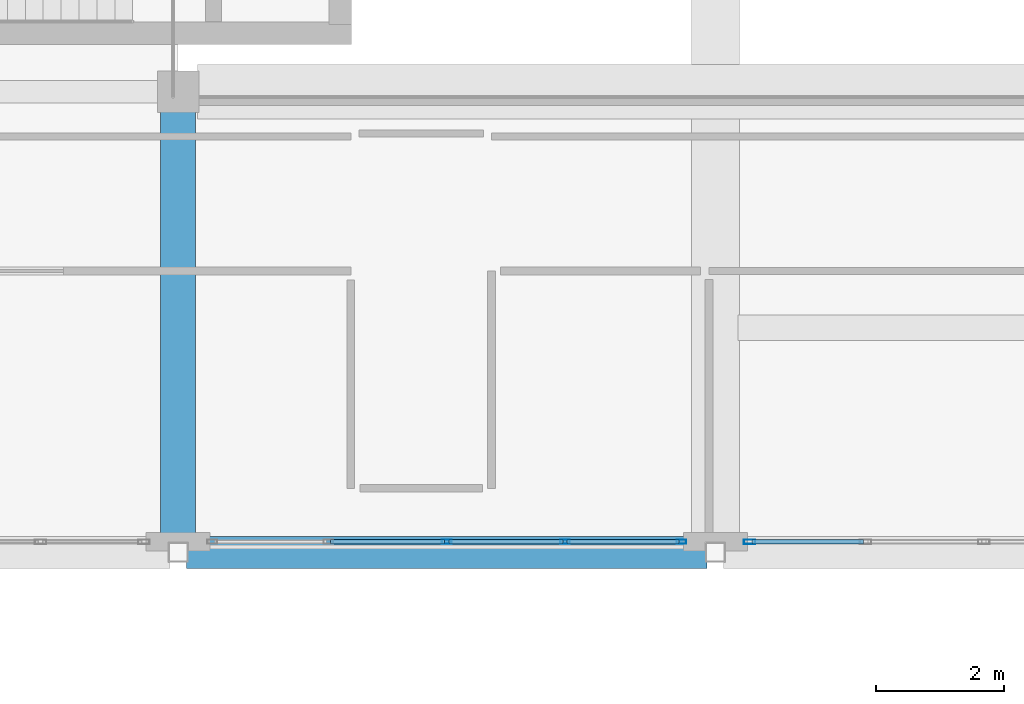
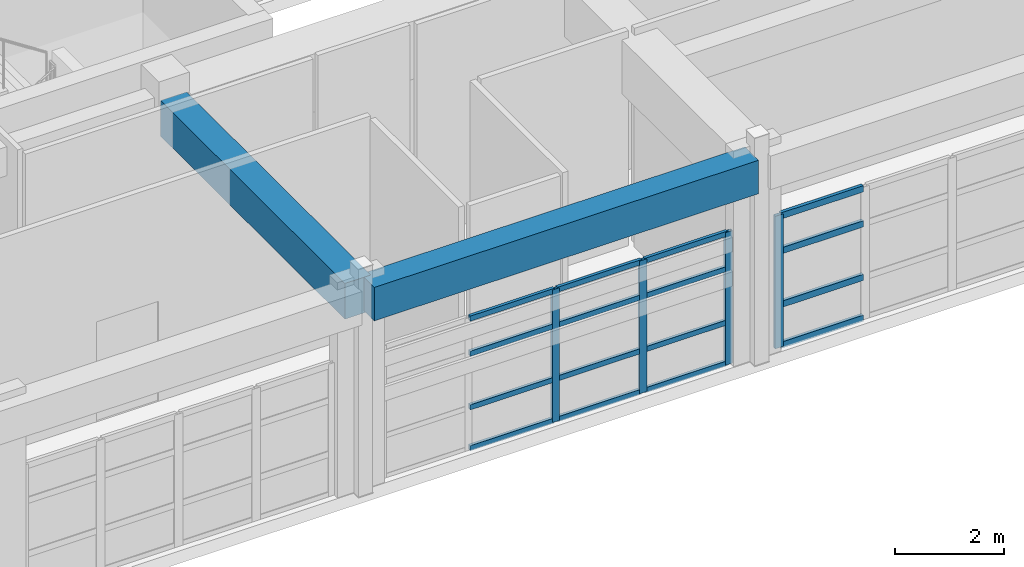
# One storey, part 58 of 103: 20 members, 2 beams, 2 elements without a shape of their own.
"""IFC4 building model written with IfcOpenShell, lengths in metres."""

from ifc_helpers import new_model, si_unit, direction, frame, origin, origin_2d, place, context, subcontext, project, spatial, rectangle, hollow_rectangle, extrude, material, layer, layer_set, material_profile, profile_set, type_object, element, aggregate, save


model = new_model("IFC4")

# Units and contexts
model_context = context("Model", 3, precision=1e-05, world=origin(), true_north=direction((0.0, 1.0)))
body_context = subcontext(model_context, "Body", "Model", "MODEL_VIEW")
ifc_project = project(units=[si_unit("LENGTHUNIT", "METRE"), si_unit("AREAUNIT", "SQUARE_METRE"), si_unit("VOLUMEUNIT", "CUBIC_METRE"), si_unit("PLANEANGLEUNIT", "RADIAN"), si_unit("MASSUNIT", "GRAM", prefix="KILO")], contexts=[model_context])

# Site, building, storey
site_placement = place(None, origin())
site = spatial("IfcSite", under=ifc_project, at=site_placement, CompositionType="ELEMENT")
building_placement = place(site_placement, origin())
building = spatial("IfcBuilding", under=site, at=building_placement, Name="Quendrovan Civic Courthouse", CompositionType="ELEMENT")
storey_placement = place(building_placement, frame((0.0, 0.0, 15.300048828125)))
storey = spatial("IfcBuildingStorey", under=building, at=storey_placement, Name="L04", CompositionType="ELEMENT", Elevation=15.300048828125)

# Beams
ifc_material_1 = material(Name="Concrete C40/50", Category="concrete")
ifc_material_profile_1 = material_profile(ifc_material_1, rectangle(XDim=0.5, YDim=0.75, at=origin_2d()), Name="RC-BM-500x750")
ifc_profile_set_1 = profile_set([ifc_material_profile_1], Name="Concrete C40/50")
beam_type_1 = type_object("IfcBeamType", Name="BM-RC750", PredefinedType="SPANDREL", material=ifc_profile_set_1)
beam_1_placement = place(storey_placement, frame((117.72998046875, 87.60009765625, 4.284912109375), z_axis=(1.0, 0.0, 0.0), x_axis=(0.0, 1.0, 0.0)))
element("IfcBeam", 1, at=beam_1_placement, inside=storey, type_object=beam_type_1, Name="L04 Girder X0911", PredefinedType="SPANDREL", context=body_context, shape_type="SweptSolid", body=[
    extrude(rectangle(XDim=0.5, YDim=0.75, at=origin_2d()), origin(), (0.0, 0.0, 1.0), 8.14013671875),
])
ifc_material_profile_2 = material_profile(ifc_material_1, rectangle(XDim=0.550048828125, YDim=0.800048828125, at=origin_2d()), Name="RC-BM-550x800")
ifc_profile_set_2 = profile_set([ifc_material_profile_2], Name="Concrete C40/50")
beam_type_2 = type_object("IfcBeamType", Name="BM-RC800", PredefinedType="BEAM", material=ifc_profile_set_2)
beam_2_placement = place(storey_placement, frame((117.60009765625, 87.72998046875, 4.260009765625), z_axis=(0.0, 1.0, 0.0), x_axis=(-1.0, 0.0, 0.0)))
element("IfcBeam", 2, at=beam_2_placement, inside=storey, type_object=beam_type_2, Name="L04 Girder Y0989", PredefinedType="BEAM", context=body_context, shape_type="SweptSolid", body=[
    extrude(rectangle(XDim=0.550048828125, YDim=0.800048828125, at=origin_2d()), origin(), (0.0, 0.0, 1.0), 6.76513671875),
])

# Curtain wall, member
ifc_material_2 = material(Name="Bronze anodised aluminium and low-E glass", Category="aluminium")
ifc_layer = layer(ifc_material_2, 0.179931640625, Name="Bronze anodised aluminium and low-E glass")
ifc_layer_set = layer_set([ifc_layer], Name="Bronze anodised aluminium and low-E glass")
curtain_wall_type = type_object("IfcCurtainWallType", Name="CW-U74x30", PredefinedType="USERDEFINED", material=ifc_layer_set)
curtain_wall_1_placement = place(storey_placement, origin())
curtain_wall_1 = element("IfcCurtainWall", 3, at=curtain_wall_1_placement, inside=storey, type_object=curtain_wall_type, Name="L04 Unitised Hurricane Curtain Wall CW-174", ObjectType="UNITISED CURTAIN WALL", PredefinedType="USERDEFINED")
ifc_material_3 = material(Name="Bronze anodised aluminium", Category="aluminium")
ifc_material_profile_3 = material_profile(ifc_material_3, hollow_rectangle(XDim=0.070068359375, YDim=0.179931640625, WallThickness=0.00390625, at=origin_2d()), Name="CW-MULL-70x180")
ifc_profile_set_3 = profile_set([ifc_material_profile_3], Name="Bronze anodised aluminium")
member_type_1 = type_object("IfcMemberType", Name="CW-MULL-A", PredefinedType="MULLION", material=ifc_profile_set_3)
member_1_placement = place(storey_placement, frame((126.534912109375, 87.764892578125, 0.0), z_axis=(0.0, 0.0, 1.0), x_axis=(0.0, -1.0, 0.0)))
member_1 = element("IfcMember", 4, at=member_1_placement, type_object=member_type_1, Name="CW-174 mullion 5", PredefinedType="MULLION", context=body_context, shape_type="SweptSolid", body=[
    extrude(hollow_rectangle(XDim=0.070068359375, YDim=0.179931640625, WallThickness=0.00390625, at=origin_2d()), origin(), (0.0, 0.0, 1.0), 2.969970703125),
])

# Curtain wall, members
curtain_wall_2_placement = place(storey_placement, origin())
curtain_wall_2 = element("IfcCurtainWall", 5, at=curtain_wall_2_placement, inside=storey, type_object=curtain_wall_type, Name="L04 Unitised Hurricane Curtain Wall CW-175", ObjectType="UNITISED CURTAIN WALL", PredefinedType="USERDEFINED")
ifc_material_profile_4 = material_profile(ifc_material_3, hollow_rectangle(XDim=0.06494140625, YDim=0.14990234375, WallThickness=0.00390625, at=origin_2d()), Name="CW-MULL-65x150")
ifc_profile_set_4 = profile_set([ifc_material_profile_4], Name="Bronze anodised aluminium")
member_type_2 = type_object("IfcMemberType", Name="CW-MULL-B", PredefinedType="MULLION", material=ifc_profile_set_4)
member_2_placement = place(storey_placement, frame((125.467529296875, 87.764892578125, 0.0), z_axis=(0.0, 0.0, 1.0), x_axis=(0.0, -1.0, 0.0)))
member_2 = element("IfcMember", 6, at=member_2_placement, type_object=member_type_2, Name="CW-175 mullion 1", PredefinedType="MULLION", context=body_context, shape_type="SweptSolid", body=[
    extrude(hollow_rectangle(XDim=0.06494140625, YDim=0.14990234375, WallThickness=0.00390625, at=origin_2d()), origin(), (0.0, 0.0, 1.0), 2.969970703125),
])
member_3_placement = place(storey_placement, frame((123.64990234375, 87.764892578125, 0.0), z_axis=(0.0, 0.0, 1.0), x_axis=(0.0, -1.0, 0.0)))
member_3 = element("IfcMember", 7, at=member_3_placement, type_object=member_type_2, Name="CW-175 mullion 2", PredefinedType="MULLION", context=body_context, shape_type="SweptSolid", body=[
    extrude(hollow_rectangle(XDim=0.06494140625, YDim=0.14990234375, WallThickness=0.00390625, at=origin_2d()), origin(), (0.0, 0.0, 1.0), 2.969970703125),
])
member_4_placement = place(storey_placement, frame((121.800048828125, 87.764892578125, 0.0), z_axis=(0.0, 0.0, 1.0), x_axis=(0.0, -1.0, 0.0)))
member_4 = element("IfcMember", 8, at=member_4_placement, type_object=member_type_2, Name="CW-175 mullion 3", PredefinedType="MULLION", context=body_context, shape_type="SweptSolid", body=[
    extrude(hollow_rectangle(XDim=0.06494140625, YDim=0.14990234375, WallThickness=0.00390625, at=origin_2d()), origin(), (0.0, 0.0, 1.0), 2.969970703125),
])

# Member
ifc_material_profile_5 = material_profile(ifc_material_3, hollow_rectangle(XDim=0.070068359375, YDim=0.139892578125, WallThickness=0.00390625, at=origin_2d()), Name="CW-TRAN-70x140")
ifc_profile_set_5 = profile_set([ifc_material_profile_5], Name="Bronze anodised aluminium")
member_type_3 = type_object("IfcMemberType", Name="CW-TRAN-A", PredefinedType="USERDEFINED", material=ifc_profile_set_5)
member_5_placement = place(storey_placement, frame((128.31494140625, 87.764892578125, 0.034912109375), z_axis=(-1.0, 0.0, 0.0), x_axis=(0.0, -1.0, 0.0)))
member_5 = element("IfcMember", 9, at=member_5_placement, type_object=member_type_3, Name="CW-174 transom 4.1", ObjectType="TRANSOM", PredefinedType="USERDEFINED", context=body_context, shape_type="SweptSolid", body=[
    extrude(hollow_rectangle(XDim=0.070068359375, YDim=0.139892578125, WallThickness=0.00390625, at=origin_2d()), origin(), (0.0, 0.0, 1.0), 1.744873046875),
])

member_6_placement = place(storey_placement, frame((128.31494140625, 87.764892578125, 0.949951171875), z_axis=(-1.0, 0.0, 0.0), x_axis=(0.0, -1.0, 0.0)))
member_6 = element("IfcMember", 10, at=member_6_placement, type_object=member_type_3, Name="CW-174 transom 4.2", ObjectType="TRANSOM", PredefinedType="USERDEFINED", context=body_context, shape_type="SweptSolid", body=[
    extrude(hollow_rectangle(XDim=0.070068359375, YDim=0.139892578125, WallThickness=0.00390625, at=origin_2d()), origin(), (0.0, 0.0, 1.0), 1.744873046875),
])

member_7_placement = place(storey_placement, frame((128.31494140625, 87.764892578125, 2.14990234375), z_axis=(-1.0, 0.0, 0.0), x_axis=(0.0, -1.0, 0.0)))
member_7 = element("IfcMember", 11, at=member_7_placement, type_object=member_type_3, Name="CW-174 transom 4.3", ObjectType="TRANSOM", PredefinedType="USERDEFINED", context=body_context, shape_type="SweptSolid", body=[
    extrude(hollow_rectangle(XDim=0.070068359375, YDim=0.139892578125, WallThickness=0.00390625, at=origin_2d()), origin(), (0.0, 0.0, 1.0), 1.744873046875),
])

member_8_placement = place(storey_placement, frame((128.31494140625, 87.764892578125, 2.93505859375), z_axis=(-1.0, 0.0, 0.0), x_axis=(0.0, -1.0, 0.0)))
member_8 = element("IfcMember", 12, at=member_8_placement, type_object=member_type_3, Name="CW-174 transom 4.4", ObjectType="TRANSOM", PredefinedType="USERDEFINED", context=body_context, shape_type="SweptSolid", body=[
    extrude(hollow_rectangle(XDim=0.070068359375, YDim=0.139892578125, WallThickness=0.00390625, at=origin_2d()), origin(), (0.0, 0.0, 1.0), 1.744873046875),
])

aggregate(curtain_wall_1, [member_1, member_5, member_6, member_7, member_8])

ifc_material_profile_6 = material_profile(ifc_material_3, hollow_rectangle(XDim=0.06494140625, YDim=0.114990234375, WallThickness=0.00390625, at=origin_2d()), Name="CW-TRAN-65x115")
ifc_profile_set_6 = profile_set([ifc_material_profile_6], Name="Bronze anodised aluminium")
member_type_4 = type_object("IfcMemberType", Name="CW-TRAN-B", PredefinedType="USERDEFINED", material=ifc_profile_set_6)
member_9_placement = place(storey_placement, frame((125.43505859375, 87.764892578125, 0.032470703125), z_axis=(-1.0, 0.0, 0.0), x_axis=(0.0, -1.0, 0.0)))
member_9 = element("IfcMember", 13, at=member_9_placement, type_object=member_type_4, Name="CW-175 transom 1.1", ObjectType="TRANSOM", PredefinedType="USERDEFINED", context=body_context, shape_type="SweptSolid", body=[
    extrude(hollow_rectangle(XDim=0.06494140625, YDim=0.114990234375, WallThickness=0.00390625, at=origin_2d()), origin(), (0.0, 0.0, 1.0), 1.75244140625),
])

member_10_placement = place(storey_placement, frame((125.43505859375, 87.764892578125, 0.949951171875), z_axis=(-1.0, 0.0, 0.0), x_axis=(0.0, -1.0, 0.0)))
member_10 = element("IfcMember", 14, at=member_10_placement, type_object=member_type_4, Name="CW-175 transom 1.2", ObjectType="TRANSOM", PredefinedType="USERDEFINED", context=body_context, shape_type="SweptSolid", body=[
    extrude(hollow_rectangle(XDim=0.06494140625, YDim=0.114990234375, WallThickness=0.00390625, at=origin_2d()), origin(), (0.0, 0.0, 1.0), 1.75244140625),
])

member_11_placement = place(storey_placement, frame((125.43505859375, 87.764892578125, 2.14990234375), z_axis=(-1.0, 0.0, 0.0), x_axis=(0.0, -1.0, 0.0)))
member_11 = element("IfcMember", 15, at=member_11_placement, type_object=member_type_4, Name="CW-175 transom 1.3", ObjectType="TRANSOM", PredefinedType="USERDEFINED", context=body_context, shape_type="SweptSolid", body=[
    extrude(hollow_rectangle(XDim=0.06494140625, YDim=0.114990234375, WallThickness=0.00390625, at=origin_2d()), origin(), (0.0, 0.0, 1.0), 1.75244140625),
])

member_12_placement = place(storey_placement, frame((125.43505859375, 87.764892578125, 2.9375), z_axis=(-1.0, 0.0, 0.0), x_axis=(0.0, -1.0, 0.0)))
member_12 = element("IfcMember", 16, at=member_12_placement, type_object=member_type_4, Name="CW-175 transom 1.4", ObjectType="TRANSOM", PredefinedType="USERDEFINED", context=body_context, shape_type="SweptSolid", body=[
    extrude(hollow_rectangle(XDim=0.06494140625, YDim=0.114990234375, WallThickness=0.00390625, at=origin_2d()), origin(), (0.0, 0.0, 1.0), 1.75244140625),
])

member_13_placement = place(storey_placement, frame((123.617431640625, 87.764892578125, 0.032470703125), z_axis=(-1.0, 0.0, 0.0), x_axis=(0.0, -1.0, 0.0)))
member_13 = element("IfcMember", 17, at=member_13_placement, type_object=member_type_4, Name="CW-175 transom 2.1", ObjectType="TRANSOM", PredefinedType="USERDEFINED", context=body_context, shape_type="SweptSolid", body=[
    extrude(hollow_rectangle(XDim=0.06494140625, YDim=0.114990234375, WallThickness=0.00390625, at=origin_2d()), origin(), (0.0, 0.0, 1.0), 1.784912109375),
])

member_14_placement = place(storey_placement, frame((123.617431640625, 87.764892578125, 0.949951171875), z_axis=(-1.0, 0.0, 0.0), x_axis=(0.0, -1.0, 0.0)))
member_14 = element("IfcMember", 18, at=member_14_placement, type_object=member_type_4, Name="CW-175 transom 2.2", ObjectType="TRANSOM", PredefinedType="USERDEFINED", context=body_context, shape_type="SweptSolid", body=[
    extrude(hollow_rectangle(XDim=0.06494140625, YDim=0.114990234375, WallThickness=0.00390625, at=origin_2d()), origin(), (0.0, 0.0, 1.0), 1.784912109375),
])

member_15_placement = place(storey_placement, frame((123.617431640625, 87.764892578125, 2.14990234375), z_axis=(-1.0, 0.0, 0.0), x_axis=(0.0, -1.0, 0.0)))
member_15 = element("IfcMember", 19, at=member_15_placement, type_object=member_type_4, Name="CW-175 transom 2.3", ObjectType="TRANSOM", PredefinedType="USERDEFINED", context=body_context, shape_type="SweptSolid", body=[
    extrude(hollow_rectangle(XDim=0.06494140625, YDim=0.114990234375, WallThickness=0.00390625, at=origin_2d()), origin(), (0.0, 0.0, 1.0), 1.784912109375),
])

member_16_placement = place(storey_placement, frame((123.617431640625, 87.764892578125, 2.9375), z_axis=(-1.0, 0.0, 0.0), x_axis=(0.0, -1.0, 0.0)))
member_16 = element("IfcMember", 20, at=member_16_placement, type_object=member_type_4, Name="CW-175 transom 2.4", ObjectType="TRANSOM", PredefinedType="USERDEFINED", context=body_context, shape_type="SweptSolid", body=[
    extrude(hollow_rectangle(XDim=0.06494140625, YDim=0.114990234375, WallThickness=0.00390625, at=origin_2d()), origin(), (0.0, 0.0, 1.0), 1.784912109375),
])

member_17_placement = place(storey_placement, frame((121.767578125, 87.764892578125, 0.032470703125), z_axis=(-1.0, 0.0, 0.0), x_axis=(0.0, -1.0, 0.0)))
member_17 = element("IfcMember", 21, at=member_17_placement, type_object=member_type_4, Name="CW-175 transom 3.1", ObjectType="TRANSOM", PredefinedType="USERDEFINED", context=body_context, shape_type="SweptSolid", body=[
    extrude(hollow_rectangle(XDim=0.06494140625, YDim=0.114990234375, WallThickness=0.00390625, at=origin_2d()), origin(), (0.0, 0.0, 1.0), 1.78515625),
])

member_18_placement = place(storey_placement, frame((121.767578125, 87.764892578125, 0.949951171875), z_axis=(-1.0, 0.0, 0.0), x_axis=(0.0, -1.0, 0.0)))
member_18 = element("IfcMember", 22, at=member_18_placement, type_object=member_type_4, Name="CW-175 transom 3.2", ObjectType="TRANSOM", PredefinedType="USERDEFINED", context=body_context, shape_type="SweptSolid", body=[
    extrude(hollow_rectangle(XDim=0.06494140625, YDim=0.114990234375, WallThickness=0.00390625, at=origin_2d()), origin(), (0.0, 0.0, 1.0), 1.78515625),
])

member_19_placement = place(storey_placement, frame((121.767578125, 87.764892578125, 2.14990234375), z_axis=(-1.0, 0.0, 0.0), x_axis=(0.0, -1.0, 0.0)))
member_19 = element("IfcMember", 23, at=member_19_placement, type_object=member_type_4, Name="CW-175 transom 3.3", ObjectType="TRANSOM", PredefinedType="USERDEFINED", context=body_context, shape_type="SweptSolid", body=[
    extrude(hollow_rectangle(XDim=0.06494140625, YDim=0.114990234375, WallThickness=0.00390625, at=origin_2d()), origin(), (0.0, 0.0, 1.0), 1.78515625),
])

member_20_placement = place(storey_placement, frame((121.767578125, 87.764892578125, 2.9375), z_axis=(-1.0, 0.0, 0.0), x_axis=(0.0, -1.0, 0.0)))
member_20 = element("IfcMember", 24, at=member_20_placement, type_object=member_type_4, Name="CW-175 transom 3.4", ObjectType="TRANSOM", PredefinedType="USERDEFINED", context=body_context, shape_type="SweptSolid", body=[
    extrude(hollow_rectangle(XDim=0.06494140625, YDim=0.114990234375, WallThickness=0.00390625, at=origin_2d()), origin(), (0.0, 0.0, 1.0), 1.78515625),
])

aggregate(curtain_wall_2, [member_2, member_3, member_4, member_9, member_10, member_11, member_12, member_13, member_14, member_15, member_16, member_17, member_18, member_19, member_20])

save(model, "model.ifc")
